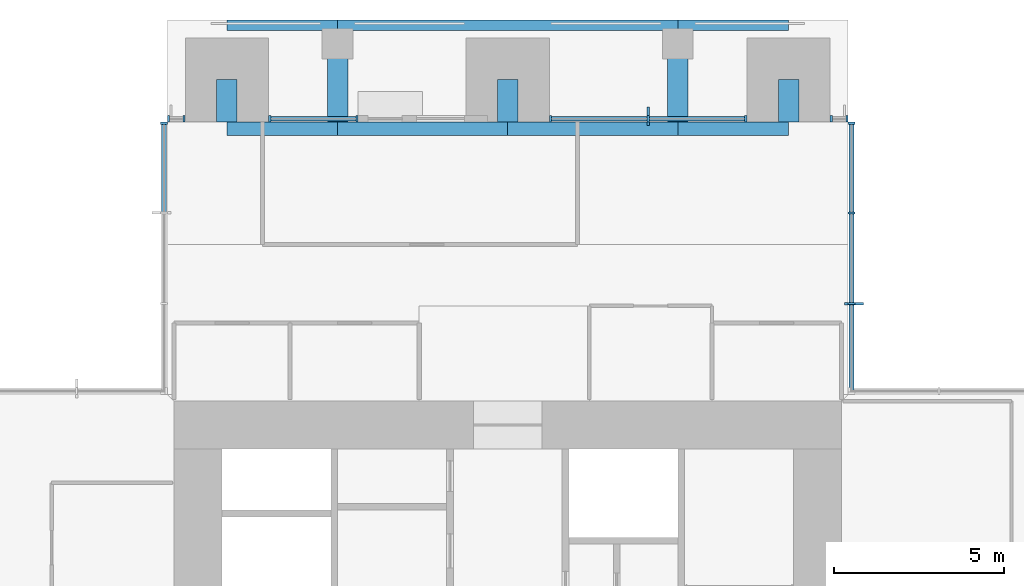
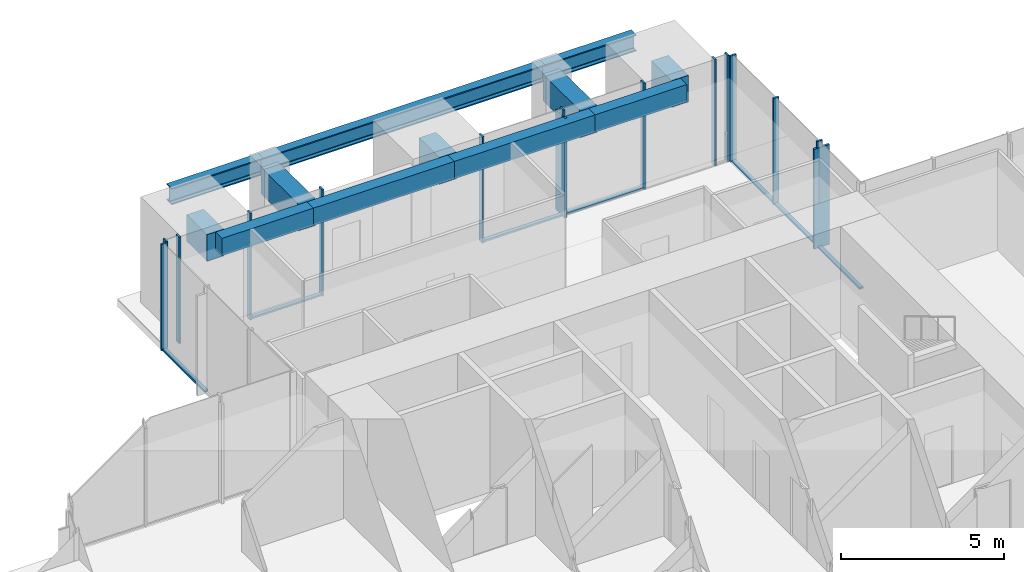
# One storey, part 5 of 17: 22 members, 12 beams, 6 elements without a shape of their own.
"""IFC4 building model written with IfcOpenShell, lengths in metres."""

import ifcopenshell
import ifcopenshell.guid

model = None  # the IFC model being written
_history = None  # IfcOwnerHistory: only IFC2X3 demands one
_inside = {}  # id of a spatial element -> (the spatial element, [elements in it])
_under = {}  # id of a project, library or spatial element -> (it, [spatial elements below it])
_declared = {}  # id of a project -> (the project, [libraries it declares])
_typed = {}  # id of a type object -> (the type object, [elements of that type])
_made_of = {}  # id of a material, layer set ... -> (it, [elements and type objects made of it])


def new_model(schema):
    """Start an empty IFC model of exactly this schema.

    Asked for "IFC4X3", IfcOpenShell would pick the latest addendum, in which some entities
    have other attributes; the version numbers below select the first issue.
    IFC2X3 requires an IfcOwnerHistory on every rooted entity: one is made here for all.
    """
    global model, _history
    if schema == "IFC4X3":
        model = ifcopenshell.file(schema_version=(4, 3, 0, 0))
    else:
        model = ifcopenshell.file(schema=schema)
    _inside.clear()
    _under.clear()
    _declared.clear()
    _typed.clear()
    _made_of.clear()
    _history = None
    if model.schema == "IFC2X3":
        org = make("IfcOrganization", Name="unknown")
        user = make(
            "IfcPersonAndOrganization",
            ThePerson=make("IfcPerson", FamilyName="unknown"),
            TheOrganization=org,
        )
        app = make(
            "IfcApplication",
            ApplicationDeveloper=org,
            Version="unknown",
            ApplicationFullName="unknown",
            ApplicationIdentifier="unknown",
        )
        _history = make(
            "IfcOwnerHistory",
            OwningUser=user,
            OwningApplication=app,
            ChangeAction="ADDED",
            CreationDate=0,
        )
    return model


def make(cls, **values):
    """One entity of the class cls with the attributes given. An attribute that is None is left unset."""
    return model.create_entity(
        cls, **{name: value for name, value in values.items() if value is not None}
    )


def rooted(cls, **values):
    """An entity with a GlobalId (a new one), such as an element, a storey or a relation."""
    return make(cls, GlobalId=ifcopenshell.guid.new(), OwnerHistory=_history, **values)


def si_unit(unit_type, name, prefix=None):
    """IfcSIUnit, for example si_unit("LENGTHUNIT", "METRE", prefix="MILLI")."""
    return make("IfcSIUnit", UnitType=unit_type, Prefix=prefix, Name=name)


def assignment(units):
    """IfcUnitAssignment: the units of a project."""
    return None if units is None else make("IfcUnitAssignment", Units=units)


def point(xyz):
    """IfcCartesianPoint."""
    return None if xyz is None else make("IfcCartesianPoint", Coordinates=xyz)


def direction(xyz):
    """IfcDirection."""
    return None if xyz is None else make("IfcDirection", DirectionRatios=xyz)


def frame(location, z_axis=None, x_axis=None):
    """IfcAxis2Placement3D, a coordinate frame: its origin and axes. An axis left out is left unset."""
    return make(
        "IfcAxis2Placement3D",
        Location=point(location),
        Axis=direction(z_axis),
        RefDirection=direction(x_axis),
    )


def frame_2d(location, x_axis=None):
    """IfcAxis2Placement2D, a coordinate frame in the plane: its origin and x axis."""
    return make(
        "IfcAxis2Placement2D", Location=point(location), RefDirection=direction(x_axis)
    )


def origin():
    """The frame at (0, 0, 0) with its axes left unset."""
    return frame((0.0, 0.0, 0.0))


def origin_2d():
    """The frame at (0, 0) in the plane with its x axis left unset."""
    return frame_2d((0.0, 0.0))


def place(relative_to, where):
    """IfcLocalPlacement: puts the frame where relative to a parent placement (None: the world)."""
    return make(
        "IfcLocalPlacement", PlacementRelTo=relative_to, RelativePlacement=where
    )


def context(
    kind, dimensions, precision=None, world=None, true_north=None, identifier=None
):
    """IfcGeometricRepresentationContext, for example the 3D "Model" context."""
    return make(
        "IfcGeometricRepresentationContext",
        ContextIdentifier=identifier,
        ContextType=kind,
        CoordinateSpaceDimension=dimensions,
        Precision=precision,
        WorldCoordinateSystem=world,
        TrueNorth=true_north,
    )


def subcontext(parent, identifier, kind, view, scale=None):
    """IfcGeometricRepresentationSubContext, for example "Body" below "Model"."""
    return make(
        "IfcGeometricRepresentationSubContext",
        ContextIdentifier=identifier,
        ContextType=kind,
        ParentContext=parent,
        TargetScale=scale,
        TargetView=view,
    )


def project(units=None, contexts=None):
    """IfcProject with its units and contexts."""
    return rooted(
        "IfcProject",
        Name="project",
        RepresentationContexts=contexts,
        UnitsInContext=assignment(units),
    )


def spatial(cls, under=None, at=None, **own):
    """A site, building, storey or space (cls), placed at a placement, below another one or the project."""
    s = rooted(cls, ObjectPlacement=at, **own)
    if under is not None:
        _under.setdefault(under.id(), (under, []))[1].append(s)
    return s


def profile(cls, at=None, kind="AREA", **sizes):
    """A parametric profile (cls). Its sizes go by their IFC names, for example OverallWidth=200.0."""
    return make(cls, ProfileType=kind, Position=at, **sizes)


def rectangle(**sizes):
    """IfcRectangleProfileDef."""
    return profile("IfcRectangleProfileDef", **sizes)


def i_section(**sizes):
    """IfcIShapeProfileDef."""
    return profile("IfcIShapeProfileDef", **sizes)


def extrude(swept, where, along, depth):
    """IfcExtrudedAreaSolid: the profile swept, set in the frame where, extruded along a direction by depth."""
    return make(
        "IfcExtrudedAreaSolid",
        SweptArea=swept,
        Position=where,
        ExtrudedDirection=direction(along),
        Depth=depth,
    )


def shape(context_of_items, identifier, shape_type, items):
    """IfcShapeRepresentation: the items that make up one representation, for example the "Body"."""
    return make(
        "IfcShapeRepresentation",
        ContextOfItems=context_of_items,
        RepresentationIdentifier=identifier,
        RepresentationType=shape_type,
        Items=items,
    )


def material(Name=None, Category=None):
    """IfcMaterial."""
    return make("IfcMaterial", Name=Name, Category=Category)


def material_profile(
    of_material, cross_section, Name=None, Category=None, Priority=None
):
    """IfcMaterialProfile: a cross section and its material."""
    return make(
        "IfcMaterialProfile",
        Name=Name,
        Material=of_material,
        Profile=cross_section,
        Priority=Priority,
        Category=Category,
    )


def profile_set(profiles, Name=None, composite=None):
    """IfcMaterialProfileSet."""
    return make(
        "IfcMaterialProfileSet",
        Name=Name,
        MaterialProfiles=profiles,
        CompositeProfile=composite,
    )


def made_of(thing, what):
    """Note that an element or type object is made of a material, layer set ...; save() writes the relation."""
    if what is not None:
        _made_of.setdefault(what.id(), (what, []))[1].append(thing)
    return thing


def type_object(cls, material=None, **own):
    """A type object (cls), such as IfcWallType, which elements share."""
    return made_of(rooted(cls, **own), material)


def element(
    cls,
    number,
    at=None,
    inside=None,
    cuts=None,
    type_object=None,
    material=None,
    context=None,
    identifier="Body",
    shape_type=None,
    held_by="IfcProductDefinitionShape",
    body=None,
    shapes=None,
    **own,
):
    """One element of the class cls, such as IfcWall. Its Tag is "e" and its number.

    at: its placement. inside: the storey or other place that contains it. cuts: it is an
    opening in that element (IfcRelVoidsElement). A single representation is given by context,
    identifier, shape_type and body (its items); several are given by shapes. held_by: the class
    of the entity that holds the representations. save() writes the other relations.
    """
    e = rooted(cls, Tag="e%d" % number, ObjectPlacement=at, **own)
    if body is not None:
        shapes = [shape(context, identifier, shape_type, body)]
    if shapes is not None:
        e.Representation = make(held_by, Representations=shapes)
    if inside is not None:
        _inside.setdefault(inside.id(), (inside, []))[1].append(e)
    if cuts is not None:
        rooted(
            "IfcRelVoidsElement", RelatingBuildingElement=cuts, RelatedOpeningElement=e
        )
    if type_object is not None:
        _typed.setdefault(type_object.id(), (type_object, []))[1].append(e)
    return made_of(e, material)


def aggregate(whole, parts):
    """IfcRelAggregates: a whole, such as a stair, and the parts it consists of."""
    return rooted("IfcRelAggregates", RelatingObject=whole, RelatedObjects=parts)


def save(model, path):
    """Write the relations noted so far, then the file.

    IfcRelAggregates (storeys below a building ...), IfcRelContainedInSpatialStructure (elements
    in a storey), IfcRelDefinesByType, IfcRelAssociatesMaterial and IfcRelDeclares: one each for
    every whole, place, type object, material and project.
    """
    for whole, parts in _under.values():
        aggregate(whole, parts)
    for where, things in _inside.values():
        rooted(
            "IfcRelContainedInSpatialStructure",
            RelatedElements=things,
            RelatingStructure=where,
        )
    for kind, things in _typed.values():
        rooted("IfcRelDefinesByType", RelatedObjects=things, RelatingType=kind)
    for what, things in _made_of.values():
        rooted("IfcRelAssociatesMaterial", RelatedObjects=things, RelatingMaterial=what)
    for by, libraries in _declared.values():
        rooted("IfcRelDeclares", RelatingContext=by, RelatedDefinitions=libraries)
    model.write(path)


model = new_model("IFC4")

# Units and contexts
model_context = context("Model", 3, precision=1e-05, world=origin(), true_north=direction((0.0, 1.0)))
body_context = subcontext(model_context, "Body", "Model", "MODEL_VIEW")
ifc_project = project(units=[si_unit("LENGTHUNIT", "METRE"), si_unit("AREAUNIT", "SQUARE_METRE"), si_unit("VOLUMEUNIT", "CUBIC_METRE"), si_unit("PLANEANGLEUNIT", "RADIAN"), si_unit("MASSUNIT", "GRAM", prefix="KILO")], contexts=[model_context])

# Site, building, storey
site_placement = place(None, origin())
site = spatial("IfcSite", under=ifc_project, at=site_placement, CompositionType="ELEMENT")
building_placement = place(site_placement, origin())
building = spatial("IfcBuilding", under=site, at=building_placement, Name="Svetlomir Tower", CompositionType="ELEMENT")
storey_placement = place(building_placement, frame((0.0, 0.0, 222.5)))
storey = spatial("IfcBuildingStorey", under=building, at=storey_placement, Name="L53", CompositionType="ELEMENT", Elevation=222.5)

# Curtain wall, member
ifc_material_1 = material(Name="Bronze anodised aluminium curtain wall", Category="aluminium")
curtain_wall_type = type_object("IfcCurtainWallType", Name="CURTAIN WALL CW1 TOWER OFFICE", PredefinedType="NOTDEFINED", material=ifc_material_1)
curtain_wall_1_placement = place(storey_placement, origin())
curtain_wall_1 = element("IfcCurtainWall", 1, at=curtain_wall_1_placement, inside=storey, type_object=curtain_wall_type, Name="Curtain wall CW1 L53", PredefinedType="NOTDEFINED")
ifc_material_2 = material(Name="Bronze anodised aluminium", Category="aluminium")
ifc_material_profile_1 = material_profile(ifc_material_2, rectangle(XDim=0.080078125, YDim=0.550048828125, at=origin_2d()), Name="FIN 80x550")
ifc_profile_set_1 = profile_set([ifc_material_profile_1], Name="Bronze anodised aluminium 6063-T6")
member_type_1 = type_object("IfcMemberType", Name="BRONZE FIN 80x550", PredefinedType="USERDEFINED", material=ifc_profile_set_1)
member_1_placement = place(storey_placement, frame((31.175048828125, 33.666748046875, 0.0), z_axis=(0.0, 0.0, 1.0), x_axis=(0.0, 1.0, 0.0)))
member_1 = element("IfcMember", 2, at=member_1_placement, type_object=member_type_1, Name="Bronze fin L53", ObjectType="FIN", PredefinedType="USERDEFINED", context=body_context, shape_type="SweptSolid", body=[
    extrude(rectangle(XDim=0.080078125, YDim=0.550048828125, at=origin_2d()), origin(), (0.0, 0.0, 1.0), 3.75),
])

curtain_wall_2_placement = place(storey_placement, origin())
curtain_wall_2 = element("IfcCurtainWall", 3, at=curtain_wall_2_placement, inside=storey, type_object=curtain_wall_type, Name="Curtain wall CW1 L53", PredefinedType="NOTDEFINED")
member_2_placement = place(storey_placement, frame((25.125, 39.175048828125, 0.0), z_axis=(0.0, 0.0, 1.0), x_axis=(1.0, 0.0, 0.0)))
member_2 = element("IfcMember", 4, at=member_2_placement, type_object=member_type_1, Name="Bronze fin L53", ObjectType="FIN", PredefinedType="USERDEFINED", context=body_context, shape_type="SweptSolid", body=[
    extrude(rectangle(XDim=0.080078125, YDim=0.550048828125, at=origin_2d()), origin(), (0.0, 0.0, 1.0), 3.75),
])

# Member
ifc_material_3 = material(Name="Bronze anodised aluminium", Category="aluminium")
ifc_material_profile_2 = material_profile(ifc_material_3, rectangle(XDim=0.06494140625, YDim=0.199951171875, at=origin_2d()), Name="AL 65x200")
ifc_profile_set_2 = profile_set([ifc_material_profile_2], Name="Bronze anodised aluminium 6063-T6")
member_type_2 = type_object("IfcMemberType", Name="CW1 MULLION 65x200", PredefinedType="MULLION", material=ifc_profile_set_2)
member_3_placement = place(storey_placement, frame((31.10009765625, 33.666748046875, 0.0), z_axis=(0.0, 0.0, 1.0), x_axis=(0.0, 1.0, 0.0)))
member_3 = element("IfcMember", 5, at=member_3_placement, type_object=member_type_2, Name="CW1 mullion 2", PredefinedType="MULLION", context=body_context, shape_type="SweptSolid", body=[
    extrude(rectangle(XDim=0.06494140625, YDim=0.199951171875, at=origin_2d()), origin(), (0.0, 0.0, 1.0), 4.0),
])

member_4_placement = place(storey_placement, frame((31.10009765625, 36.333251953125, 0.0), z_axis=(0.0, 0.0, 1.0), x_axis=(0.0, 1.0, 0.0)))
member_4 = element("IfcMember", 6, at=member_4_placement, type_object=member_type_2, Name="CW1 mullion 3", PredefinedType="MULLION", context=body_context, shape_type="SweptSolid", body=[
    extrude(rectangle(XDim=0.06494140625, YDim=0.199951171875, at=origin_2d()), origin(), (0.0, 0.0, 1.0), 4.0),
])

member_5_placement = place(storey_placement, frame((31.10009765625, 38.967529296875, 0.0), z_axis=(0.0, 0.0, 1.0), x_axis=(0.0, 1.0, 0.0)))
member_5 = element("IfcMember", 7, at=member_5_placement, type_object=member_type_2, Name="CW1 mullion 4", PredefinedType="MULLION", context=body_context, shape_type="SweptSolid", body=[
    extrude(rectangle(XDim=0.06494140625, YDim=0.199951171875, at=origin_2d()), origin(), (0.0, 0.0, 1.0), 4.0),
])

# Curtain wall, members
curtain_wall_3_placement = place(storey_placement, origin())
curtain_wall_3 = element("IfcCurtainWall", 8, at=curtain_wall_3_placement, inside=storey, type_object=curtain_wall_type, Name="Curtain wall CW1 L53", PredefinedType="NOTDEFINED")
member_6_placement = place(storey_placement, frame((30.967529296875, 39.10009765625, 0.0), z_axis=(0.0, 0.0, 1.0), x_axis=(-1.0, 0.0, 0.0)))
member_6 = element("IfcMember", 9, at=member_6_placement, type_object=member_type_2, Name="CW1 mullion 1", PredefinedType="MULLION", context=body_context, shape_type="SweptSolid", body=[
    extrude(rectangle(XDim=0.06494140625, YDim=0.199951171875, at=origin_2d()), origin(), (0.0, 0.0, 1.0), 4.0),
])
member_7_placement = place(storey_placement, frame((30.507568359375, 39.10009765625, 0.0), z_axis=(0.0, 0.0, 1.0), x_axis=(-1.0, 0.0, 0.0)))
member_7 = element("IfcMember", 10, at=member_7_placement, type_object=member_type_2, Name="CW1 mullion 2", PredefinedType="MULLION", context=body_context, shape_type="SweptSolid", body=[
    extrude(rectangle(XDim=0.06494140625, YDim=0.199951171875, at=origin_2d()), origin(), (0.0, 0.0, 1.0), 4.0),
])
aggregate(curtain_wall_3, [member_6, member_7])

# Member
member_8_placement = place(storey_placement, frame((27.992431640625, 39.10009765625, 0.0), z_axis=(0.0, 0.0, 1.0), x_axis=(-1.0, 0.0, 0.0)))
member_8 = element("IfcMember", 11, at=member_8_placement, type_object=member_type_2, Name="CW1 mullion 1", PredefinedType="MULLION", context=body_context, shape_type="SweptSolid", body=[
    extrude(rectangle(XDim=0.06494140625, YDim=0.199951171875, at=origin_2d()), origin(), (0.0, 0.0, 1.0), 4.0),
])

member_9_placement = place(storey_placement, frame((25.125, 39.10009765625, 0.0), z_axis=(0.0, 0.0, 1.0), x_axis=(-1.0, 0.0, 0.0)))
member_9 = element("IfcMember", 12, at=member_9_placement, type_object=member_type_2, Name="CW1 mullion 2", PredefinedType="MULLION", context=body_context, shape_type="SweptSolid", body=[
    extrude(rectangle(XDim=0.06494140625, YDim=0.199951171875, at=origin_2d()), origin(), (0.0, 0.0, 1.0), 4.0),
])

member_10_placement = place(storey_placement, frame((22.257568359375, 39.10009765625, 0.0), z_axis=(0.0, 0.0, 1.0), x_axis=(-1.0, 0.0, 0.0)))
member_10 = element("IfcMember", 13, at=member_10_placement, type_object=member_type_2, Name="CW1 mullion 3", PredefinedType="MULLION", context=body_context, shape_type="SweptSolid", body=[
    extrude(rectangle(XDim=0.06494140625, YDim=0.199951171875, at=origin_2d()), origin(), (0.0, 0.0, 1.0), 4.0),
])

# Curtain wall, members
curtain_wall_4_placement = place(storey_placement, origin())
curtain_wall_4 = element("IfcCurtainWall", 14, at=curtain_wall_4_placement, inside=storey, type_object=curtain_wall_type, Name="Curtain wall CW1 L53", PredefinedType="NOTDEFINED")
member_11_placement = place(storey_placement, frame((16.5673828125, 39.10009765625, 0.0), z_axis=(0.0, 0.0, 1.0), x_axis=(-1.0, 0.0, 0.0)))
member_11 = element("IfcMember", 15, at=member_11_placement, type_object=member_type_2, Name="CW1 mullion 1", PredefinedType="MULLION", context=body_context, shape_type="SweptSolid", body=[
    extrude(rectangle(XDim=0.06494140625, YDim=0.199951171875, at=origin_2d()), origin(), (0.0, 0.0, 1.0), 4.0),
])
member_12_placement = place(storey_placement, frame((14.007568359375, 39.10009765625, 0.0), z_axis=(0.0, 0.0, 1.0), x_axis=(-1.0, 0.0, 0.0)))
member_12 = element("IfcMember", 16, at=member_12_placement, type_object=member_type_2, Name="CW1 mullion 2", PredefinedType="MULLION", context=body_context, shape_type="SweptSolid", body=[
    extrude(rectangle(XDim=0.06494140625, YDim=0.199951171875, at=origin_2d()), origin(), (0.0, 0.0, 1.0), 4.0),
])

curtain_wall_5_placement = place(storey_placement, origin())
curtain_wall_5 = element("IfcCurtainWall", 17, at=curtain_wall_5_placement, inside=storey, type_object=curtain_wall_type, Name="Curtain wall CW1 L53", PredefinedType="NOTDEFINED")
member_13_placement = place(storey_placement, frame((11.492431640625, 39.10009765625, 0.0), z_axis=(0.0, 0.0, 1.0), x_axis=(-1.0, 0.0, 0.0)))
member_13 = element("IfcMember", 18, at=member_13_placement, type_object=member_type_2, Name="CW1 mullion 1", PredefinedType="MULLION", context=body_context, shape_type="SweptSolid", body=[
    extrude(rectangle(XDim=0.06494140625, YDim=0.199951171875, at=origin_2d()), origin(), (0.0, 0.0, 1.0), 4.0),
])
member_14_placement = place(storey_placement, frame((11.032470703125, 39.10009765625, 0.0), z_axis=(0.0, 0.0, 1.0), x_axis=(-1.0, 0.0, 0.0)))
member_14 = element("IfcMember", 19, at=member_14_placement, type_object=member_type_2, Name="CW1 mullion 2", PredefinedType="MULLION", context=body_context, shape_type="SweptSolid", body=[
    extrude(rectangle(XDim=0.06494140625, YDim=0.199951171875, at=origin_2d()), origin(), (0.0, 0.0, 1.0), 4.0),
])
aggregate(curtain_wall_5, [member_13, member_14])

# Curtain wall, member
curtain_wall_6_placement = place(storey_placement, origin())
curtain_wall_6 = element("IfcCurtainWall", 20, at=curtain_wall_6_placement, inside=storey, type_object=curtain_wall_type, Name="Curtain wall CW1 L53", PredefinedType="NOTDEFINED")
member_15_placement = place(storey_placement, frame((10.89990234375, 38.967529296875, 0.0), z_axis=(0.0, 0.0, 1.0), x_axis=(0.0, -1.0, 0.0)))
member_15 = element("IfcMember", 21, at=member_15_placement, type_object=member_type_2, Name="CW1 mullion 1", PredefinedType="MULLION", context=body_context, shape_type="SweptSolid", body=[
    extrude(rectangle(XDim=0.06494140625, YDim=0.199951171875, at=origin_2d()), origin(), (0.0, 0.0, 1.0), 4.0),
])

# Member
ifc_material_4 = material(Name="Bronze anodised aluminium", Category="aluminium")
ifc_material_profile_3 = material_profile(ifc_material_4, rectangle(XDim=0.139892578125, YDim=0.06494140625, at=origin_2d()), Name="AL 140x65")
ifc_profile_set_3 = profile_set([ifc_material_profile_3], Name="Bronze anodised aluminium 6063-T6")
member_type_3 = type_object("IfcMemberType", Name="CW1 TRANSOM 65x140", PredefinedType="USERDEFINED", material=ifc_profile_set_3)
member_16_placement = place(storey_placement, frame((31.10009765625, 31.06494140625, 0.032470703125), z_axis=(0.0, 1.0, 0.0), x_axis=(-1.0, 0.0, 0.0)))
member_16 = element("IfcMember", 22, at=member_16_placement, type_object=member_type_3, Name="CW1 transom 1.1", ObjectType="TRANSOM", PredefinedType="USERDEFINED", context=body_context, shape_type="SweptSolid", body=[
    extrude(rectangle(XDim=0.139892578125, YDim=0.06494140625, at=origin_2d()), origin(), (0.0, 0.0, 1.0), 2.5693359375),
])

member_17_placement = place(storey_placement, frame((31.10009765625, 33.69921875, 0.032470703125), z_axis=(0.0, 1.0, 0.0), x_axis=(-1.0, 0.0, 0.0)))
member_17 = element("IfcMember", 23, at=member_17_placement, type_object=member_type_3, Name="CW1 transom 2.1", ObjectType="TRANSOM", PredefinedType="USERDEFINED", context=body_context, shape_type="SweptSolid", body=[
    extrude(rectangle(XDim=0.139892578125, YDim=0.06494140625, at=origin_2d()), origin(), (0.0, 0.0, 1.0), 2.6015625),
])

member_18_placement = place(storey_placement, frame((31.10009765625, 36.36572265625, 0.032470703125), z_axis=(0.0, 1.0, 0.0), x_axis=(-1.0, 0.0, 0.0)))
member_18 = element("IfcMember", 24, at=member_18_placement, type_object=member_type_3, Name="CW1 transom 3.1", ObjectType="TRANSOM", PredefinedType="USERDEFINED", context=body_context, shape_type="SweptSolid", body=[
    extrude(rectangle(XDim=0.139892578125, YDim=0.06494140625, at=origin_2d()), origin(), (0.0, 0.0, 1.0), 2.5693359375),
])

aggregate(curtain_wall_1, [member_3, member_4, member_5, member_16, member_17, member_18, member_1])

member_19_placement = place(storey_placement, frame((27.9599609375, 39.10009765625, 0.032470703125), z_axis=(-1.0, 0.0, 0.0), x_axis=(0.0, -1.0, 0.0)))
member_19 = element("IfcMember", 25, at=member_19_placement, type_object=member_type_3, Name="CW1 transom 1.1", ObjectType="TRANSOM", PredefinedType="USERDEFINED", context=body_context, shape_type="SweptSolid", body=[
    extrude(rectangle(XDim=0.139892578125, YDim=0.06494140625, at=origin_2d()), origin(), (0.0, 0.0, 1.0), 2.802490234375),
])

member_20_placement = place(storey_placement, frame((25.092529296875, 39.10009765625, 0.032470703125), z_axis=(-1.0, 0.0, 0.0), x_axis=(0.0, -1.0, 0.0)))
member_20 = element("IfcMember", 26, at=member_20_placement, type_object=member_type_3, Name="CW1 transom 2.1", ObjectType="TRANSOM", PredefinedType="USERDEFINED", context=body_context, shape_type="SweptSolid", body=[
    extrude(rectangle(XDim=0.139892578125, YDim=0.06494140625, at=origin_2d()), origin(), (0.0, 0.0, 1.0), 2.802490234375),
])

aggregate(curtain_wall_2, [member_8, member_9, member_10, member_19, member_20, member_2])

member_21_placement = place(storey_placement, frame((16.534912109375, 39.10009765625, 0.032470703125), z_axis=(-1.0, 0.0, 0.0), x_axis=(0.0, -1.0, 0.0)))
member_21 = element("IfcMember", 27, at=member_21_placement, type_object=member_type_3, Name="CW1 transom 1.1", ObjectType="TRANSOM", PredefinedType="USERDEFINED", context=body_context, shape_type="SweptSolid", body=[
    extrude(rectangle(XDim=0.139892578125, YDim=0.06494140625, at=origin_2d()), origin(), (0.0, 0.0, 1.0), 2.494873046875),
])

aggregate(curtain_wall_4, [member_11, member_12, member_21])

member_22_placement = place(storey_placement, frame((10.89990234375, 38.93505859375, 0.032470703125), z_axis=(0.0, -1.0, 0.0), x_axis=(1.0, 0.0, 0.0)))
member_22 = element("IfcMember", 28, at=member_22_placement, type_object=member_type_3, Name="CW1 transom 1.1", ObjectType="TRANSOM", PredefinedType="USERDEFINED", context=body_context, shape_type="SweptSolid", body=[
    extrude(rectangle(XDim=0.139892578125, YDim=0.06494140625, at=origin_2d()), origin(), (0.0, 0.0, 1.0), 2.5693359375),
])

aggregate(curtain_wall_6, [member_15, member_22])

# Beams
ifc_material_5 = material(Name="Steel S355", Category="steel")
ifc_material_profile_4 = material_profile(ifc_material_5, i_section(OverallWidth=0.304931640625, OverallDepth=0.6201171875, WebThickness=0.02099609375, FlangeThickness=0.0400390625, FilletRadius=0.027099609375, at=origin_2d()), Name="HEM 600")
ifc_profile_set_4 = profile_set([ifc_material_profile_4], Name="Steel S355")
beam_type_1 = type_object("IfcBeamType", Name="EDGE BEAM HEM 600", PredefinedType="SPANDREL", material=ifc_profile_set_4)
beam_1_placement = place(storey_placement, frame((12.75, 41.847412109375, 3.43994140625), z_axis=(1.0, 0.0, 0.0), x_axis=(0.0, 1.0, 0.0)))
element("IfcBeam", 29, at=beam_1_placement, inside=storey, type_object=beam_type_1, Name="Edge beam 11/42 to 16/42 under L54", PredefinedType="SPANDREL", context=body_context, shape_type="SweptSolid", body=[
    extrude(i_section(OverallWidth=0.304931640625, OverallDepth=0.6201171875, WebThickness=0.02099609375, FlangeThickness=0.0400390625, FilletRadius=0.027099609375, at=origin_2d()), origin(), (0.0, 0.0, 1.0), 3.25),
])
beam_2_placement = place(storey_placement, frame((16.0, 41.847412109375, 3.43994140625), z_axis=(1.0, 0.0, 0.0), x_axis=(0.0, 1.0, 0.0)))
element("IfcBeam", 30, at=beam_2_placement, inside=storey, type_object=beam_type_1, Name="Edge beam 16/42 to 26/42 under L54", PredefinedType="SPANDREL", context=body_context, shape_type="SweptSolid", body=[
    extrude(i_section(OverallWidth=0.304931640625, OverallDepth=0.6201171875, WebThickness=0.02099609375, FlangeThickness=0.0400390625, FilletRadius=0.027099609375, at=origin_2d()), origin(), (0.0, 0.0, 1.0), 10.0),
])
beam_3_placement = place(storey_placement, frame((26.0, 41.847412109375, 3.43994140625), z_axis=(1.0, 0.0, 0.0), x_axis=(0.0, 1.0, 0.0)))
element("IfcBeam", 31, at=beam_3_placement, inside=storey, type_object=beam_type_1, Name="Edge beam 26/42 to 31/42 under L54", PredefinedType="SPANDREL", context=body_context, shape_type="SweptSolid", body=[
    extrude(i_section(OverallWidth=0.304931640625, OverallDepth=0.6201171875, WebThickness=0.02099609375, FlangeThickness=0.0400390625, FilletRadius=0.027099609375, at=origin_2d()), origin(), (0.0, 0.0, 1.0), 3.25),
])
ifc_material_6 = material(Name="Concrete C60/75", Category="concrete")
ifc_material_profile_5 = material_profile(ifc_material_6, rectangle(XDim=0.39990234375, YDim=0.64990234375, at=origin_2d()), Name="RC 400x650")
ifc_profile_set_5 = profile_set([ifc_material_profile_5], Name="Concrete C60/75")
beam_type_2 = type_object("IfcBeamType", Name="FACADE EDGE BEAM RC 400x650", PredefinedType="BEAM", material=ifc_profile_set_5)
beam_4_placement = place(storey_placement, frame((12.75, 38.800048828125, 3.425048828125), z_axis=(1.0, 0.0, 0.0), x_axis=(0.0, 1.0, 0.0)))
element("IfcBeam", 32, at=beam_4_placement, inside=storey, type_object=beam_type_2, Name="Facade edge beam N 11 to 16 under L54", PredefinedType="BEAM", context=body_context, shape_type="SweptSolid", body=[
    extrude(rectangle(XDim=0.39990234375, YDim=0.64990234375, at=origin_2d()), origin(), (0.0, 0.0, 1.0), 3.25),
])
for number, where, z_axis, x_axis, name in (
    (33, (16.0, 38.800048828125, 3.425048828125), (1.0, 0.0, 0.0), (0.0, 1.0, 0.0), "Facade edge beam N 16 to 21 under L54"),
    (34, (21.0, 38.800048828125, 3.425048828125), (1.0, 0.0, 0.0), (0.0, 1.0, 0.0), "Facade edge beam N 21 to 26 under L54"),
):
    element("IfcBeam", number, at=place(storey_placement, frame(where, z_axis=z_axis, x_axis=x_axis)), inside=storey, type_object=beam_type_2, Name=name, PredefinedType="BEAM", context=body_context, shape_type="SweptSolid", body=[
        extrude(rectangle(XDim=0.39990234375, YDim=0.64990234375, at=origin_2d()), origin(), (0.0, 0.0, 1.0), 5.0),
    ])
beam_5_placement = place(storey_placement, frame((26.0, 38.800048828125, 3.425048828125), z_axis=(1.0, 0.0, 0.0), x_axis=(0.0, 1.0, 0.0)))
element("IfcBeam", 35, at=beam_5_placement, inside=storey, type_object=beam_type_2, Name="Facade edge beam N 26 to 31 under L54", PredefinedType="BEAM", context=body_context, shape_type="SweptSolid", body=[
    extrude(rectangle(XDim=0.39990234375, YDim=0.64990234375, at=origin_2d()), origin(), (0.0, 0.0, 1.0), 3.25),
])
ifc_material_7 = material(Name="Concrete C60/75", Category="concrete")
ifc_material_profile_6 = material_profile(ifc_material_7, rectangle(XDim=0.60009765625, YDim=1.0, at=origin_2d()), Name="RC 600x1000")
ifc_profile_set_6 = profile_set([ifc_material_profile_6], Name="Concrete C60/75")
beam_type_3 = type_object("IfcBeamType", Name="LOGGIA LINK BEAM RC 600x1000", PredefinedType="BEAM", material=ifc_profile_set_6)
beam_6_placement = place(storey_placement, frame((12.75, 40.25, 3.25), z_axis=(0.0, -1.0, 0.0), x_axis=(1.0, 0.0, 0.0)))
element("IfcBeam", 36, at=beam_6_placement, inside=storey, type_object=beam_type_3, Name="Loggia link beam N 11 under L54", PredefinedType="BEAM", context=body_context, shape_type="SweptSolid", body=[
    extrude(rectangle(XDim=0.60009765625, YDim=1.0, at=origin_2d()), origin(), (0.0, 0.0, 1.0), 1.25),
])
beam_7_placement = place(storey_placement, frame((16.0, 41.300048828125, 3.25), z_axis=(0.0, -1.0, 0.0), x_axis=(1.0, 0.0, 0.0)))
element("IfcBeam", 37, at=beam_7_placement, inside=storey, type_object=beam_type_3, Name="Loggia link beam N 16 under L54", PredefinedType="BEAM", context=body_context, shape_type="SweptSolid", body=[
    extrude(rectangle(XDim=0.60009765625, YDim=1.0, at=origin_2d()), origin(), (0.0, 0.0, 1.0), 2.300048828125),
])
beam_8_placement = place(storey_placement, frame((21.0, 40.25, 3.25), z_axis=(0.0, -1.0, 0.0), x_axis=(1.0, 0.0, 0.0)))
element("IfcBeam", 38, at=beam_8_placement, inside=storey, type_object=beam_type_3, Name="Loggia link beam N 21 under L54", PredefinedType="BEAM", context=body_context, shape_type="SweptSolid", body=[
    extrude(rectangle(XDim=0.60009765625, YDim=1.0, at=origin_2d()), origin(), (0.0, 0.0, 1.0), 1.25),
])
beam_9_placement = place(storey_placement, frame((26.0, 41.300048828125, 3.25), z_axis=(0.0, -1.0, 0.0), x_axis=(1.0, 0.0, 0.0)))
element("IfcBeam", 39, at=beam_9_placement, inside=storey, type_object=beam_type_3, Name="Loggia link beam N 26 under L54", PredefinedType="BEAM", context=body_context, shape_type="SweptSolid", body=[
    extrude(rectangle(XDim=0.60009765625, YDim=1.0, at=origin_2d()), origin(), (0.0, 0.0, 1.0), 2.300048828125),
])
beam_10_placement = place(storey_placement, frame((29.25, 40.25, 3.25), z_axis=(0.0, -1.0, 0.0), x_axis=(1.0, 0.0, 0.0)))
element("IfcBeam", 40, at=beam_10_placement, inside=storey, type_object=beam_type_3, Name="Loggia link beam N 31 under L54", PredefinedType="BEAM", context=body_context, shape_type="SweptSolid", body=[
    extrude(rectangle(XDim=0.60009765625, YDim=1.0, at=origin_2d()), origin(), (0.0, 0.0, 1.0), 1.25),
])

save(model, "model.ifc")
